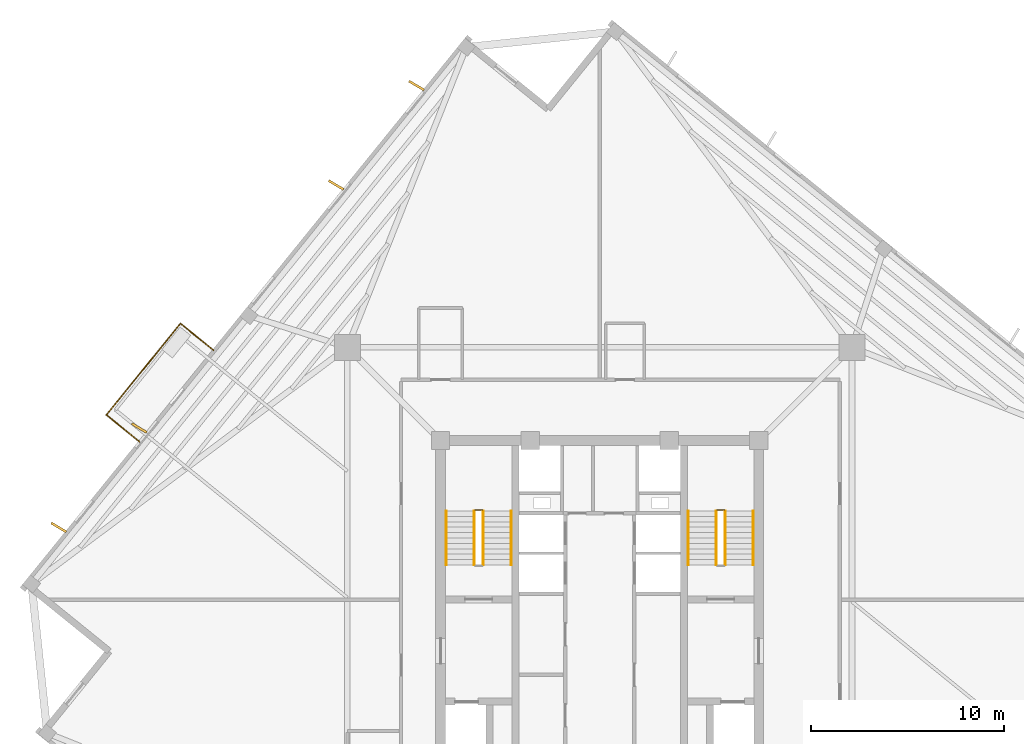
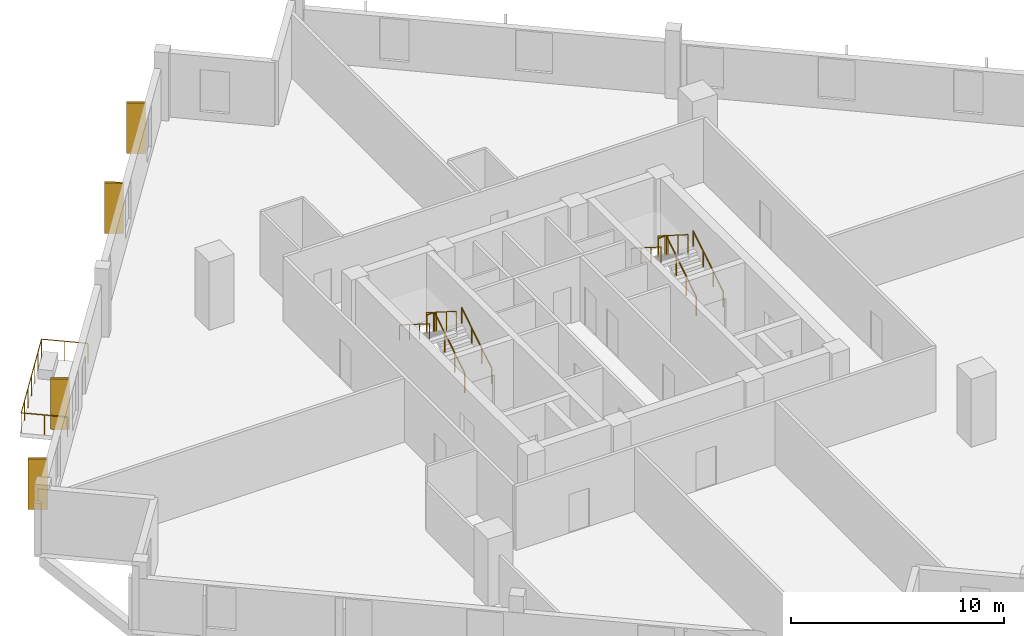
# One storey, part 8 of 9: 13 railings, 4 coverings.
"""IFC4 building model written with IfcOpenShell, lengths in metres."""

from ifc_helpers import new_model, si_unit, direction, frame, origin, origin_2d, place, context, subcontext, project, spatial, rectangle, circle, extrude, source, transform, mapped, material, layer, layer_set, type_object, element, save


model = new_model("IFC4")

# Units and contexts
model_context = context("Model", 3, precision=1e-05, world=origin(), true_north=direction((0.0, 1.0)))
body_context = subcontext(model_context, "Body", "Model", "MODEL_VIEW")
ifc_project = project(units=[si_unit("LENGTHUNIT", "METRE"), si_unit("AREAUNIT", "SQUARE_METRE"), si_unit("VOLUMEUNIT", "CUBIC_METRE"), si_unit("PLANEANGLEUNIT", "RADIAN"), si_unit("MASSUNIT", "GRAM", prefix="KILO"), si_unit("THERMODYNAMICTEMPERATUREUNIT", "KELVIN")], contexts=[model_context])

# Site, building, storey
site_placement = place(None, origin())
site = spatial("IfcSite", under=ifc_project, at=site_placement, CompositionType="ELEMENT")
building_placement = place(site_placement, origin())
building = spatial("IfcBuilding", under=site, at=building_placement, Name="Kosmvard Interchange Tower", CompositionType="ELEMENT")
storey_placement = place(building_placement, frame((0.0, 0.0, 244.60009765625)))
storey = spatial("IfcBuildingStorey", under=building, at=storey_placement, Name="L59", CompositionType="ELEMENT", Elevation=244.60009765625)

# Railings
ifc_material_1 = material(Name="Steel S355", Category="steel")
railing_type_1 = type_object("IfcRailingType", Name="Observation & Balcony Glass-Infill Balustrade 1150", PredefinedType="BALUSTRADE", material=ifc_material_1)
shared_shape_1 = source(origin(), body_context, "Body", "SweptSolid", [
    extrude(circle(Radius=0.02392578125, at=origin_2d()), frame((0.0, 0.0, 1.1259765625), z_axis=(0.777141488432, -0.629325914736, 0.0), x_axis=(0.629325914736, 0.777141488432, 0.0)), (0.0, 0.0, 1.0), 2.199951171875),
    extrude(circle(Radius=0.02099609375, at=origin_2d()), origin(), (0.0, 0.0, 1.0), 1.101806640625),
    extrude(circle(Radius=0.02099609375, at=origin_2d()), frame((0.85498046875, -0.6923828125, 0.0)), (0.0, 0.0, 1.0), 1.101806640625),
    extrude(circle(Radius=0.02099609375, at=origin_2d()), frame((1.709716796875, -1.384521484375, 0.0)), (0.0, 0.0, 1.0), 1.101806640625),
])
railing_1_placement = place(storey_placement, frame((-25.57177734375, 9.5771484375, 0.0)))
element("IfcRailing", 1, at=railing_1_placement, inside=storey, type_object=railing_type_1, Name="L59 Outdoor Terrace Guard BAL-L59-NE-C", PredefinedType="BALUSTRADE", context=body_context, shape_type="MappedRepresentation", body=[
    mapped(shared_shape_1, transform((0.0, 0.0, 0.0), scale=1.0)),
])
shared_shape_2 = source(origin(), body_context, "Body", "SweptSolid", [
    extrude(circle(Radius=0.02392578125, at=origin_2d()), frame((0.0, 0.0, 1.1259765625), z_axis=(-0.777141488432, 0.629325914736, 0.0), x_axis=(-0.629325914736, -0.777141488432, 0.0)), (0.0, 0.0, 1.0), 2.199951171875),
    extrude(circle(Radius=0.02099609375, at=origin_2d()), origin(), (0.0, 0.0, 1.0), 1.101806640625),
    extrude(circle(Radius=0.02099609375, at=origin_2d()), frame((-0.85498046875, 0.6923828125, 0.0)), (0.0, 0.0, 1.0), 1.101806640625),
    extrude(circle(Radius=0.02099609375, at=origin_2d()), frame((-1.709716796875, 1.384521484375, 0.0)), (0.0, 0.0, 1.0), 1.101806640625),
])
railing_2_placement = place(storey_placement, frame((-20.023193359375, 12.93310546875, 0.0)))
element("IfcRailing", 2, at=railing_2_placement, inside=storey, type_object=railing_type_1, Name="L59 Outdoor Terrace Guard BAL-L59-NE-A", PredefinedType="BALUSTRADE", context=body_context, shape_type="MappedRepresentation", body=[
    mapped(shared_shape_2, transform((0.0, 0.0, 0.0), scale=1.0)),
])

# Coverings
ifc_material_2 = material(Name="Architectural anodised aluminium", Category="aluminium")
ifc_layer = layer(ifc_material_2, 0.1201171875, Name="Architectural anodised aluminium")
ifc_layer_set = layer_set([ifc_layer], Name="Architectural anodised aluminium")
covering_type = type_object("IfcCoveringType", Name="Rotating Vertical Sun-Breaker Fin 900x120 Aluminium", PredefinedType="CLADDING", material=ifc_layer_set)
shared_shape_3 = source(origin(), body_context, "Body", "SweptSolid", [
    extrude(rectangle(XDim=0.89990234375, YDim=0.1201171875, at=origin_2d()), origin(), (0.0, 0.0, 1.0), 2.8798828125),
])
for number, where, z_axis, x_axis, name in (
    (3, (-9.494384765625, 26.650146484375, 0.0400390625), (0.0, 0.0, 1.0), (-0.860208488223, 0.509942503415, 0.0), "L59 Rotating Vertical Sun-Breaker Fin 09"),
    (4, (-13.66748046875, 21.49658203125, 0.0400390625), (0.0, 0.0, 1.0), (-0.860208488223, 0.509942503415, 0.0), "L59 Rotating Vertical Sun-Breaker Fin 10"),
    (5, (-23.86865234375, 8.8994140625, 0.0400390625), (0.0, 0.0, 1.0), (-0.860208488223, 0.509942503415, 0.0), "L59 Rotating Vertical Sun-Breaker Fin 11"),
    (6, (-28.041748046875, 3.74609375, 0.0400390625), (0.0, 0.0, 1.0), (-0.860208488223, 0.509942503415, 0.0), "L59 Rotating Vertical Sun-Breaker Fin 12"),
):
    element("IfcCovering", number, at=place(storey_placement, frame(where, z_axis=z_axis, x_axis=x_axis)), inside=storey, type_object=covering_type, Name=name, PredefinedType="CLADDING", context=body_context, shape_type="MappedRepresentation", body=[
        mapped(shared_shape_3, transform((0.0, 0.0, 0.0), scale=1.0)),
    ])

# Railings
shared_shape_4 = source(origin(), body_context, "Body", "SweptSolid", [
    extrude(circle(Radius=0.02392578125, at=origin_2d()), frame((0.0, 0.0, 1.1259765625), z_axis=(-0.629330626282, -0.777137673017, 0.0), x_axis=(0.777137673017, -0.629330626282, 0.0)), (0.0, 0.0, 1.0), 6.099853515625),
    extrude(circle(Radius=0.02099609375, at=origin_2d()), origin(), (0.0, 0.0, 1.0), 1.101806640625),
    extrude(circle(Radius=0.02099609375, at=origin_2d()), frame((-0.639892578125, -0.7900390625, 0.0)), (0.0, 0.0, 1.0), 1.101806640625),
    extrude(circle(Radius=0.02099609375, at=origin_2d()), frame((-1.279541015625, -1.580078125, 0.0)), (0.0, 0.0, 1.0), 1.101806640625),
    extrude(circle(Radius=0.02099609375, at=origin_2d()), frame((-1.91943359375, -2.3701171875, 0.0)), (0.0, 0.0, 1.0), 1.101806640625),
    extrude(circle(Radius=0.02099609375, at=origin_2d()), frame((-2.559326171875, -3.160400390625, 0.0)), (0.0, 0.0, 1.0), 1.101806640625),
    extrude(circle(Radius=0.02099609375, at=origin_2d()), frame((-3.198974609375, -3.950439453125, 0.0)), (0.0, 0.0, 1.0), 1.101806640625),
    extrude(circle(Radius=0.02099609375, at=origin_2d()), frame((-3.8388671875, -4.740478515625, 0.0)), (0.0, 0.0, 1.0), 1.101806640625),
])
railing_3_placement = place(storey_placement, frame((-21.73291015625, 14.317626953125, 0.0)))
element("IfcRailing", 7, at=railing_3_placement, inside=storey, type_object=railing_type_1, Name="L59 Outdoor Terrace Guard BAL-L59-NE-B", PredefinedType="BALUSTRADE", context=body_context, shape_type="MappedRepresentation", body=[
    mapped(shared_shape_4, transform((0.0, 0.0, 0.0), scale=1.0)),
])
railing_type_2 = type_object("IfcRailingType", Name="Stair & Terrace Safety Guardrail 1100 Steel", PredefinedType="GUARDRAIL", material=ifc_material_1)
shared_shape_5 = source(origin(), body_context, "Body", "SweptSolid", [
    extrude(circle(Radius=0.02392578125, at=origin_2d()), frame((0.0, 0.0, 1.076171875), z_axis=(-1.0, 0.0, 0.0), x_axis=(0.0, -1.0, 0.0)), (0.0, 0.0, 1.0), 0.35986328125),
    extrude(circle(Radius=0.02099609375, at=origin_2d()), origin(), (0.0, 0.0, 1.0), 1.052001953125),
    extrude(circle(Radius=0.02099609375, at=origin_2d()), frame((-0.35986328125, 0.0, 0.0)), (0.0, 0.0, 1.0), 1.052001953125),
])
for number, where, name in (
    (8, (-6.090087890625, 4.64990234375, 1.949951171875), "L59 ST-1 stair guard 2"),
    (9, (6.449951171875, 4.64990234375, 1.949951171875), "L59 ST-2 stair guard 2"),
):
    element("IfcRailing", number, at=place(storey_placement, frame(where)), inside=storey, type_object=railing_type_2, Name=name, PredefinedType="GUARDRAIL", context=body_context, shape_type="MappedRepresentation", body=[
        mapped(shared_shape_5, transform((0.0, 0.0, 0.0), scale=1.0)),
    ])
shared_shape_6 = source(origin(), body_context, "Body", "SweptSolid", [
    extrude(circle(Radius=0.02392578125, at=origin_2d()), frame((0.0, 0.0, 1.076171875), z_axis=(0.0, 0.844908973607, 0.534910110503), x_axis=(-1.0, 0.0, 0.0)), (0.0, 0.0, 1.0), 3.31396484375),
    extrude(circle(Radius=0.02099609375, at=origin_2d()), origin(), (0.0, 0.0, 1.0), 1.052001953125),
    extrude(circle(Radius=0.02099609375, at=origin_2d()), frame((0.0, 0.933349609375, 0.5908203125)), (0.0, 0.0, 1.0), 1.052001953125),
    extrude(circle(Radius=0.02099609375, at=origin_2d()), frame((0.0, 1.86669921875, 1.181884765625)), (0.0, 0.0, 1.0), 1.052001953125),
    extrude(circle(Radius=0.02099609375, at=origin_2d()), frame((0.0, 2.800048828125, 1.772705078125)), (0.0, 0.0, 1.0), 1.052001953125),
])
for number, where, name in (
    (10, (-6.0400390625, 1.800048828125, 0.17724609375), "L59 ST-1 stair guard 1"),
    (11, (6.5, 1.800048828125, 0.17724609375), "L59 ST-2 stair guard 1"),
):
    element("IfcRailing", number, at=place(storey_placement, frame(where)), inside=storey, type_object=railing_type_2, Name=name, PredefinedType="GUARDRAIL", context=body_context, shape_type="MappedRepresentation", body=[
        mapped(shared_shape_6, transform((0.0, 0.0, 0.0), scale=1.0)),
    ])
shared_shape_7 = source(origin(), body_context, "Body", "SweptSolid", [
    extrude(circle(Radius=0.02392578125, at=origin_2d()), frame((0.0, 0.0, 1.076171875), z_axis=(0.0, -0.844908973607, 0.534910110503), x_axis=(1.0, 0.0, 0.0)), (0.0, 0.0, 1.0), 3.31396484375),
    extrude(circle(Radius=0.02099609375, at=origin_2d()), origin(), (0.0, 0.0, 1.0), 1.052001953125),
    extrude(circle(Radius=0.02099609375, at=origin_2d()), frame((0.0, -0.933349609375, 0.5908203125)), (0.0, 0.0, 1.0), 1.052001953125),
    extrude(circle(Radius=0.02099609375, at=origin_2d()), frame((0.0, -1.86669921875, 1.181884765625)), (0.0, 0.0, 1.0), 1.052001953125),
    extrude(circle(Radius=0.02099609375, at=origin_2d()), frame((0.0, -2.800048828125, 1.772705078125)), (0.0, 0.0, 1.0), 1.052001953125),
])
for number, where, name in (
    (12, (-6.5, 4.60009765625, 2.127197265625), "L59 ST-1 stair guard 3"),
    (13, (6.0400390625, 4.60009765625, 2.127197265625), "L59 ST-2 stair guard 3"),
):
    element("IfcRailing", number, at=place(storey_placement, frame(where)), inside=storey, type_object=railing_type_2, Name=name, PredefinedType="GUARDRAIL", context=body_context, shape_type="MappedRepresentation", body=[
        mapped(shared_shape_7, transform((0.0, 0.0, 0.0), scale=1.0)),
    ])
railing_type_3 = type_object("IfcRailingType", Name="Wall-Mounted Stair Handrail 900 Steel", PredefinedType="HANDRAIL", material=ifc_material_1)
shared_shape_8 = source(origin(), body_context, "Body", "SweptSolid", [
    extrude(circle(Radius=0.02392578125, at=origin_2d()), frame((0.0, 0.0, 0.8759765625), z_axis=(0.0, 0.844908973607, 0.534910110503), x_axis=(-1.0, 0.0, 0.0)), (0.0, 0.0, 1.0), 3.31396484375),
    extrude(circle(Radius=0.02099609375, at=origin_2d()), origin(), (0.0, 0.0, 1.0), 0.851806640625),
    extrude(circle(Radius=0.02099609375, at=origin_2d()), frame((0.0, 0.933349609375, 0.5908203125)), (0.0, 0.0, 1.0), 0.851806640625),
    extrude(circle(Radius=0.02099609375, at=origin_2d()), frame((0.0, 1.86669921875, 1.181884765625)), (0.0, 0.0, 1.0), 0.851806640625),
    extrude(circle(Radius=0.02099609375, at=origin_2d()), frame((0.0, 2.800048828125, 1.772705078125)), (0.0, 0.0, 1.0), 0.851806640625),
])
for number, where, name in (
    (14, (-4.590087890625, 1.800048828125, 0.17724609375), "L59 ST-1 stair handrail 1"),
    (15, (7.949951171875, 1.800048828125, 0.17724609375), "L59 ST-2 stair handrail 1"),
):
    element("IfcRailing", number, at=place(storey_placement, frame(where)), inside=storey, type_object=railing_type_3, Name=name, PredefinedType="HANDRAIL", context=body_context, shape_type="MappedRepresentation", body=[
        mapped(shared_shape_8, transform((0.0, 0.0, 0.0), scale=1.0)),
    ])
shared_shape_9 = source(origin(), body_context, "Body", "SweptSolid", [
    extrude(circle(Radius=0.02392578125, at=origin_2d()), frame((0.0, 0.0, 0.8759765625), z_axis=(0.0, -0.844908973607, 0.534910110503), x_axis=(1.0, 0.0, 0.0)), (0.0, 0.0, 1.0), 3.31396484375),
    extrude(circle(Radius=0.02099609375, at=origin_2d()), origin(), (0.0, 0.0, 1.0), 0.851806640625),
    extrude(circle(Radius=0.02099609375, at=origin_2d()), frame((0.0, -0.933349609375, 0.5908203125)), (0.0, 0.0, 1.0), 0.851806640625),
    extrude(circle(Radius=0.02099609375, at=origin_2d()), frame((0.0, -1.86669921875, 1.181884765625)), (0.0, 0.0, 1.0), 0.851806640625),
    extrude(circle(Radius=0.02099609375, at=origin_2d()), frame((0.0, -2.800048828125, 1.772705078125)), (0.0, 0.0, 1.0), 0.851806640625),
])
for number, where, name in (
    (16, (-7.949951171875, 4.60009765625, 2.127197265625), "L59 ST-1 stair handrail 2"),
    (17, (4.590087890625, 4.60009765625, 2.127197265625), "L59 ST-2 stair handrail 2"),
):
    element("IfcRailing", number, at=place(storey_placement, frame(where)), inside=storey, type_object=railing_type_3, Name=name, PredefinedType="HANDRAIL", context=body_context, shape_type="MappedRepresentation", body=[
        mapped(shared_shape_9, transform((0.0, 0.0, 0.0), scale=1.0)),
    ])

save(model, "model.ifc")
